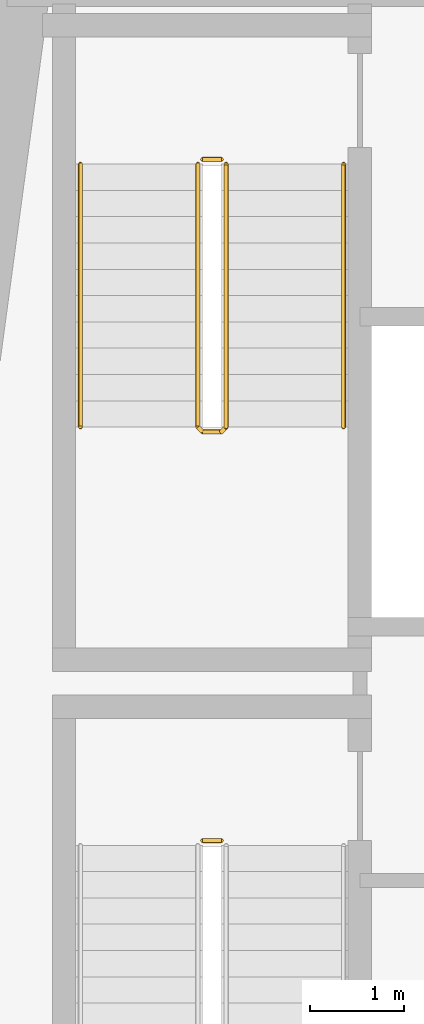
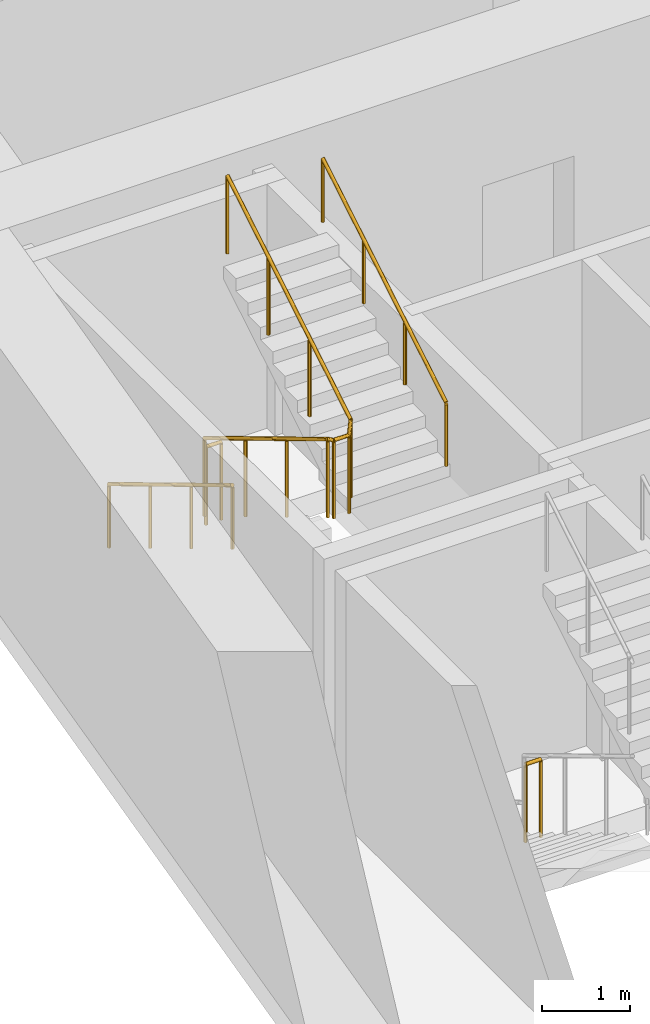
# One storey, part 10 of 13: 5 railings.
"""IFC4 building model written with IfcOpenShell, lengths in metres."""

import ifcopenshell
import ifcopenshell.guid

model = None  # the IFC model being written
_history = None  # IfcOwnerHistory: only IFC2X3 demands one
_inside = {}  # id of a spatial element -> (the spatial element, [elements in it])
_under = {}  # id of a project, library or spatial element -> (it, [spatial elements below it])
_declared = {}  # id of a project -> (the project, [libraries it declares])
_typed = {}  # id of a type object -> (the type object, [elements of that type])
_made_of = {}  # id of a material, layer set ... -> (it, [elements and type objects made of it])


def new_model(schema):
    """Start an empty IFC model of exactly this schema.

    Asked for "IFC4X3", IfcOpenShell would pick the latest addendum, in which some entities
    have other attributes; the version numbers below select the first issue.
    IFC2X3 requires an IfcOwnerHistory on every rooted entity: one is made here for all.
    """
    global model, _history
    if schema == "IFC4X3":
        model = ifcopenshell.file(schema_version=(4, 3, 0, 0))
    else:
        model = ifcopenshell.file(schema=schema)
    _inside.clear()
    _under.clear()
    _declared.clear()
    _typed.clear()
    _made_of.clear()
    _history = None
    if model.schema == "IFC2X3":
        org = make("IfcOrganization", Name="unknown")
        user = make(
            "IfcPersonAndOrganization",
            ThePerson=make("IfcPerson", FamilyName="unknown"),
            TheOrganization=org,
        )
        app = make(
            "IfcApplication",
            ApplicationDeveloper=org,
            Version="unknown",
            ApplicationFullName="unknown",
            ApplicationIdentifier="unknown",
        )
        _history = make(
            "IfcOwnerHistory",
            OwningUser=user,
            OwningApplication=app,
            ChangeAction="ADDED",
            CreationDate=0,
        )
    return model


def make(cls, **values):
    """One entity of the class cls with the attributes given. An attribute that is None is left unset."""
    return model.create_entity(
        cls, **{name: value for name, value in values.items() if value is not None}
    )


def rooted(cls, **values):
    """An entity with a GlobalId (a new one), such as an element, a storey or a relation."""
    return make(cls, GlobalId=ifcopenshell.guid.new(), OwnerHistory=_history, **values)


def si_unit(unit_type, name, prefix=None):
    """IfcSIUnit, for example si_unit("LENGTHUNIT", "METRE", prefix="MILLI")."""
    return make("IfcSIUnit", UnitType=unit_type, Prefix=prefix, Name=name)


def assignment(units):
    """IfcUnitAssignment: the units of a project."""
    return None if units is None else make("IfcUnitAssignment", Units=units)


def point(xyz):
    """IfcCartesianPoint."""
    return None if xyz is None else make("IfcCartesianPoint", Coordinates=xyz)


def direction(xyz):
    """IfcDirection."""
    return None if xyz is None else make("IfcDirection", DirectionRatios=xyz)


def frame(location, z_axis=None, x_axis=None):
    """IfcAxis2Placement3D, a coordinate frame: its origin and axes. An axis left out is left unset."""
    return make(
        "IfcAxis2Placement3D",
        Location=point(location),
        Axis=direction(z_axis),
        RefDirection=direction(x_axis),
    )


def frame_2d(location, x_axis=None):
    """IfcAxis2Placement2D, a coordinate frame in the plane: its origin and x axis."""
    return make(
        "IfcAxis2Placement2D", Location=point(location), RefDirection=direction(x_axis)
    )


def origin():
    """The frame at (0, 0, 0) with its axes left unset."""
    return frame((0.0, 0.0, 0.0))


def origin_2d():
    """The frame at (0, 0) in the plane with its x axis left unset."""
    return frame_2d((0.0, 0.0))


def place(relative_to, where):
    """IfcLocalPlacement: puts the frame where relative to a parent placement (None: the world)."""
    return make(
        "IfcLocalPlacement", PlacementRelTo=relative_to, RelativePlacement=where
    )


def context(
    kind, dimensions, precision=None, world=None, true_north=None, identifier=None
):
    """IfcGeometricRepresentationContext, for example the 3D "Model" context."""
    return make(
        "IfcGeometricRepresentationContext",
        ContextIdentifier=identifier,
        ContextType=kind,
        CoordinateSpaceDimension=dimensions,
        Precision=precision,
        WorldCoordinateSystem=world,
        TrueNorth=true_north,
    )


def subcontext(parent, identifier, kind, view, scale=None):
    """IfcGeometricRepresentationSubContext, for example "Body" below "Model"."""
    return make(
        "IfcGeometricRepresentationSubContext",
        ContextIdentifier=identifier,
        ContextType=kind,
        ParentContext=parent,
        TargetScale=scale,
        TargetView=view,
    )


def project(units=None, contexts=None):
    """IfcProject with its units and contexts."""
    return rooted(
        "IfcProject",
        Name="project",
        RepresentationContexts=contexts,
        UnitsInContext=assignment(units),
    )


def spatial(cls, under=None, at=None, **own):
    """A site, building, storey or space (cls), placed at a placement, below another one or the project."""
    s = rooted(cls, ObjectPlacement=at, **own)
    if under is not None:
        _under.setdefault(under.id(), (under, []))[1].append(s)
    return s


def profile(cls, at=None, kind="AREA", **sizes):
    """A parametric profile (cls). Its sizes go by their IFC names, for example OverallWidth=200.0."""
    return make(cls, ProfileType=kind, Position=at, **sizes)


def circle(**sizes):
    """IfcCircleProfileDef."""
    return profile("IfcCircleProfileDef", **sizes)


def extrude(swept, where, along, depth):
    """IfcExtrudedAreaSolid: the profile swept, set in the frame where, extruded along a direction by depth."""
    return make(
        "IfcExtrudedAreaSolid",
        SweptArea=swept,
        Position=where,
        ExtrudedDirection=direction(along),
        Depth=depth,
    )


def shape(context_of_items, identifier, shape_type, items):
    """IfcShapeRepresentation: the items that make up one representation, for example the "Body"."""
    return make(
        "IfcShapeRepresentation",
        ContextOfItems=context_of_items,
        RepresentationIdentifier=identifier,
        RepresentationType=shape_type,
        Items=items,
    )


def material(Name=None, Category=None):
    """IfcMaterial."""
    return make("IfcMaterial", Name=Name, Category=Category)


def made_of(thing, what):
    """Note that an element or type object is made of a material, layer set ...; save() writes the relation."""
    if what is not None:
        _made_of.setdefault(what.id(), (what, []))[1].append(thing)
    return thing


def type_object(cls, material=None, **own):
    """A type object (cls), such as IfcWallType, which elements share."""
    return made_of(rooted(cls, **own), material)


def element(
    cls,
    number,
    at=None,
    inside=None,
    cuts=None,
    type_object=None,
    material=None,
    context=None,
    identifier="Body",
    shape_type=None,
    held_by="IfcProductDefinitionShape",
    body=None,
    shapes=None,
    **own,
):
    """One element of the class cls, such as IfcWall. Its Tag is "e" and its number.

    at: its placement. inside: the storey or other place that contains it. cuts: it is an
    opening in that element (IfcRelVoidsElement). A single representation is given by context,
    identifier, shape_type and body (its items); several are given by shapes. held_by: the class
    of the entity that holds the representations. save() writes the other relations.
    """
    e = rooted(cls, Tag="e%d" % number, ObjectPlacement=at, **own)
    if body is not None:
        shapes = [shape(context, identifier, shape_type, body)]
    if shapes is not None:
        e.Representation = make(held_by, Representations=shapes)
    if inside is not None:
        _inside.setdefault(inside.id(), (inside, []))[1].append(e)
    if cuts is not None:
        rooted(
            "IfcRelVoidsElement", RelatingBuildingElement=cuts, RelatedOpeningElement=e
        )
    if type_object is not None:
        _typed.setdefault(type_object.id(), (type_object, []))[1].append(e)
    return made_of(e, material)


def aggregate(whole, parts):
    """IfcRelAggregates: a whole, such as a stair, and the parts it consists of."""
    return rooted("IfcRelAggregates", RelatingObject=whole, RelatedObjects=parts)


def save(model, path):
    """Write the relations noted so far, then the file.

    IfcRelAggregates (storeys below a building ...), IfcRelContainedInSpatialStructure (elements
    in a storey), IfcRelDefinesByType, IfcRelAssociatesMaterial and IfcRelDeclares: one each for
    every whole, place, type object, material and project.
    """
    for whole, parts in _under.values():
        aggregate(whole, parts)
    for where, things in _inside.values():
        rooted(
            "IfcRelContainedInSpatialStructure",
            RelatedElements=things,
            RelatingStructure=where,
        )
    for kind, things in _typed.values():
        rooted("IfcRelDefinesByType", RelatedObjects=things, RelatingType=kind)
    for what, things in _made_of.values():
        rooted("IfcRelAssociatesMaterial", RelatedObjects=things, RelatingMaterial=what)
    for by, libraries in _declared.values():
        rooted("IfcRelDeclares", RelatingContext=by, RelatedDefinitions=libraries)
    model.write(path)


model = new_model("IFC4")

# Units and contexts
model_context = context("Model", 3, precision=1e-05, world=origin(), true_north=direction((0.0, 1.0)))
body_context = subcontext(model_context, "Body", "Model", "MODEL_VIEW")
ifc_project = project(units=[si_unit("LENGTHUNIT", "METRE"), si_unit("AREAUNIT", "SQUARE_METRE"), si_unit("VOLUMEUNIT", "CUBIC_METRE"), si_unit("PLANEANGLEUNIT", "RADIAN"), si_unit("MASSUNIT", "GRAM", prefix="KILO")], contexts=[model_context])

# Site, building, storey
site_placement = place(None, origin())
site = spatial("IfcSite", under=ifc_project, at=site_placement, CompositionType="ELEMENT")
building_placement = place(site_placement, origin())
building = spatial("IfcBuilding", under=site, at=building_placement, Name="Candeia Pilgrim Tower and Theatre", CompositionType="ELEMENT")
storey_placement = place(building_placement, frame((0.0, 0.0, 105.800048828125)))
storey = spatial("IfcBuildingStorey", under=building, at=storey_placement, Name="L24", CompositionType="ELEMENT", Elevation=105.800048828125)

# Railings
ifc_material_1 = material(Name="Stainless steel balustrade", Category="steel")
railing_type_1 = type_object("IfcRailingType", Name="RL-GUARD-1100", PredefinedType="GUARDRAIL", material=ifc_material_1)
railing_1_placement = place(storey_placement, frame((91.152099609375, 122.52490234375, 0.0)))
element("IfcRailing", 1, at=railing_1_placement, inside=storey, type_object=railing_type_1, Name="L24 ST1 stair guard 2", PredefinedType="GUARDRAIL", context=body_context, shape_type="SweptSolid", body=[
    extrude(circle(Radius=0.02392578125, at=origin_2d()), frame((0.0, 0.0, 1.076171875), z_axis=(1.0, 0.0, 0.0), x_axis=(0.0, 1.0, 0.0)), (0.0, 0.0, 1.0), 0.199951171875),
    extrude(circle(Radius=0.02099609375, at=origin_2d()), origin(), (0.0, 0.0, 1.0), 1.052001953125),
    extrude(circle(Radius=0.02099609375, at=origin_2d()), frame((0.199951171875, 0.0, 0.0)), (0.0, 0.0, 1.0), 1.052001953125),
])
railing_2_placement = place(storey_placement, frame((91.10205078125, 129.72509765625, 0.168212890625)))
element("IfcRailing", 2, at=railing_2_placement, inside=storey, type_object=railing_type_1, Name="L24 ST2 stair guard 1", PredefinedType="GUARDRAIL", context=body_context, shape_type="SweptSolid", body=[
    extrude(circle(Radius=0.02392578125, at=origin_2d()), frame((0.0, 0.0, 1.076171875), z_axis=(0.0, -0.857275202839, 0.514858452973), x_axis=(1.0, 0.0, 0.0)), (0.0, 0.0, 1.0), 3.26611328125),
    extrude(circle(Radius=0.02392578125, at=origin_2d()), frame((0.0, -2.800048828125, 2.7578125), z_axis=(0.707106781187, -0.707106781187, 0.0), x_axis=(0.707106781187, 0.707106781187, 0.0)), (0.0, 0.0, 1.0), 0.07080078125),
    extrude(circle(Radius=0.02392578125, at=origin_2d()), frame((0.050048828125, -2.85009765625, 2.7578125), z_axis=(1.0, 0.0, 0.0), x_axis=(0.0, 1.0, 0.0)), (0.0, 0.0, 1.0), 0.199951171875),
    extrude(circle(Radius=0.02392578125, at=origin_2d()), frame((0.25, -2.85009765625, 2.7578125), z_axis=(0.274243871929, 0.274243871929, 0.92172696468), x_axis=(-0.707106781187, 0.707106781187, 0.0)), (0.0, 0.0, 1.0), 0.1826171875),
    extrude(circle(Radius=0.02392578125, at=origin_2d()), frame((0.300048828125, -2.800048828125, 2.92578125), z_axis=(0.0, 0.857242210791, 0.514913383045), x_axis=(-1.0, 0.0, 0.0)), (0.0, 0.0, 1.0), 3.266357421875),
    extrude(circle(Radius=0.02099609375, at=origin_2d()), origin(), (0.0, 0.0, 1.0), 1.052001953125),
    extrude(circle(Radius=0.02099609375, at=origin_2d()), frame((0.0, -0.933349609375, 0.560546875)), (0.0, 0.0, 1.0), 1.052001953125),
    extrude(circle(Radius=0.02099609375, at=origin_2d()), frame((0.0, -1.86669921875, 1.12109375)), (0.0, 0.0, 1.0), 1.052001953125),
    extrude(circle(Radius=0.02099609375, at=origin_2d()), frame((0.0, -2.800048828125, 1.681640625)), (0.0, 0.0, 1.0), 1.052001953125),
    extrude(circle(Radius=0.02099609375, at=origin_2d()), frame((0.050048828125, -2.85009765625, 1.681640625)), (0.0, 0.0, 1.0), 1.052001953125),
    extrude(circle(Radius=0.02099609375, at=origin_2d()), frame((0.25, -2.85009765625, 1.681640625)), (0.0, 0.0, 1.0), 1.052001953125),
    extrude(circle(Radius=0.02099609375, at=origin_2d()), frame((0.300048828125, -2.800048828125, 1.849853515625)), (0.0, 0.0, 1.0), 1.052001953125),
    extrude(circle(Radius=0.02099609375, at=origin_2d()), frame((0.300048828125, -1.86669921875, 2.410400390625)), (0.0, 0.0, 1.0), 1.052001953125),
    extrude(circle(Radius=0.02099609375, at=origin_2d()), frame((0.300048828125, -0.933349609375, 2.97119140625)), (0.0, 0.0, 1.0), 1.052001953125),
    extrude(circle(Radius=0.02099609375, at=origin_2d()), frame((0.300048828125, 0.0, 3.53173828125)), (0.0, 0.0, 1.0), 1.052001953125),
])
railing_3_placement = place(storey_placement, frame((91.152099609375, 129.77490234375, 0.0)))
element("IfcRailing", 3, at=railing_3_placement, inside=storey, type_object=railing_type_1, Name="L24 ST2 stair guard 2", PredefinedType="GUARDRAIL", context=body_context, shape_type="SweptSolid", body=[
    extrude(circle(Radius=0.02392578125, at=origin_2d()), frame((0.0, 0.0, 1.076171875), z_axis=(1.0, 0.0, 0.0), x_axis=(0.0, 1.0, 0.0)), (0.0, 0.0, 1.0), 0.199951171875),
    extrude(circle(Radius=0.02099609375, at=origin_2d()), origin(), (0.0, 0.0, 1.0), 1.052001953125),
    extrude(circle(Radius=0.02099609375, at=origin_2d()), frame((0.199951171875, 0.0, 0.0)), (0.0, 0.0, 1.0), 1.052001953125),
])
ifc_material_2 = material(Name="Stainless steel handrail", Category="steel")
railing_type_2 = type_object("IfcRailingType", Name="RL-HANDRAIL-900", PredefinedType="HANDRAIL", material=ifc_material_2)
railing_4_placement = place(storey_placement, frame((89.85205078125, 129.72509765625, 0.168212890625)))
element("IfcRailing", 4, at=railing_4_placement, inside=storey, type_object=railing_type_2, Name="L24 ST2 stair handrail 1", PredefinedType="HANDRAIL", context=body_context, shape_type="SweptSolid", body=[
    extrude(circle(Radius=0.02392578125, at=origin_2d()), frame((0.0, 0.0, 0.8759765625), z_axis=(0.0, -0.857275202839, 0.514858452973), x_axis=(1.0, 0.0, 0.0)), (0.0, 0.0, 1.0), 3.26611328125),
    extrude(circle(Radius=0.02099609375, at=origin_2d()), origin(), (0.0, 0.0, 1.0), 0.851806640625),
    extrude(circle(Radius=0.02099609375, at=origin_2d()), frame((0.0, -0.933349609375, 0.560546875)), (0.0, 0.0, 1.0), 0.851806640625),
    extrude(circle(Radius=0.02099609375, at=origin_2d()), frame((0.0, -1.86669921875, 1.12109375)), (0.0, 0.0, 1.0), 0.851806640625),
    extrude(circle(Radius=0.02099609375, at=origin_2d()), frame((0.0, -2.800048828125, 1.681640625)), (0.0, 0.0, 1.0), 0.851806640625),
])
railing_5_placement = place(storey_placement, frame((92.652099609375, 126.925048828125, 2.01806640625)))
element("IfcRailing", 5, at=railing_5_placement, inside=storey, type_object=railing_type_2, Name="L24 ST2 stair handrail 2", PredefinedType="HANDRAIL", context=body_context, shape_type="SweptSolid", body=[
    extrude(circle(Radius=0.02392578125, at=origin_2d()), frame((0.0, 0.0, 0.8759765625), z_axis=(0.0, 0.857242210791, 0.514913383045), x_axis=(-1.0, 0.0, 0.0)), (0.0, 0.0, 1.0), 3.266357421875),
    extrude(circle(Radius=0.02099609375, at=origin_2d()), origin(), (0.0, 0.0, 1.0), 0.851806640625),
    extrude(circle(Radius=0.02099609375, at=origin_2d()), frame((0.0, 0.933349609375, 0.560546875)), (0.0, 0.0, 1.0), 0.851806640625),
    extrude(circle(Radius=0.02099609375, at=origin_2d()), frame((0.0, 1.86669921875, 1.121337890625)), (0.0, 0.0, 1.0), 0.851806640625),
    extrude(circle(Radius=0.02099609375, at=origin_2d()), frame((0.0, 2.800048828125, 1.681884765625)), (0.0, 0.0, 1.0), 0.851806640625),
])

save(model, "model.ifc")
